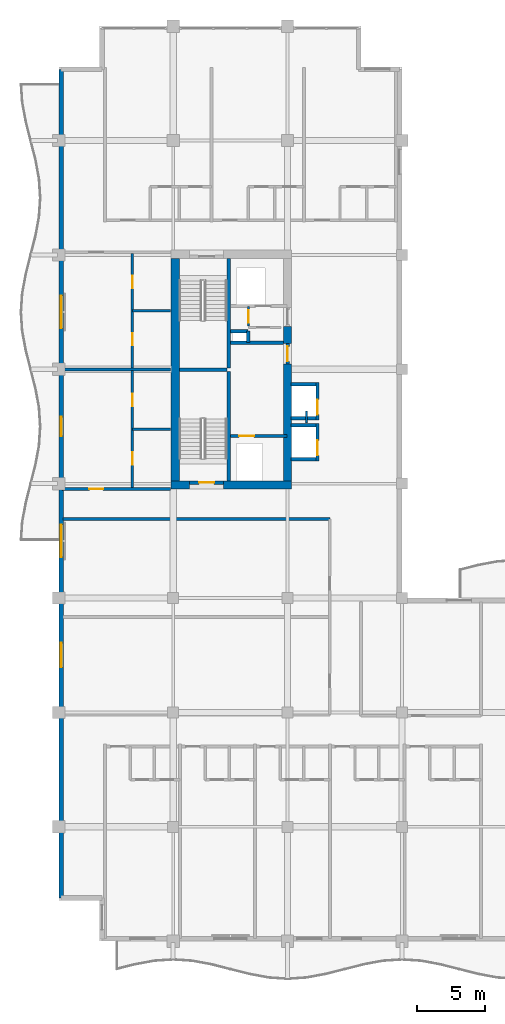
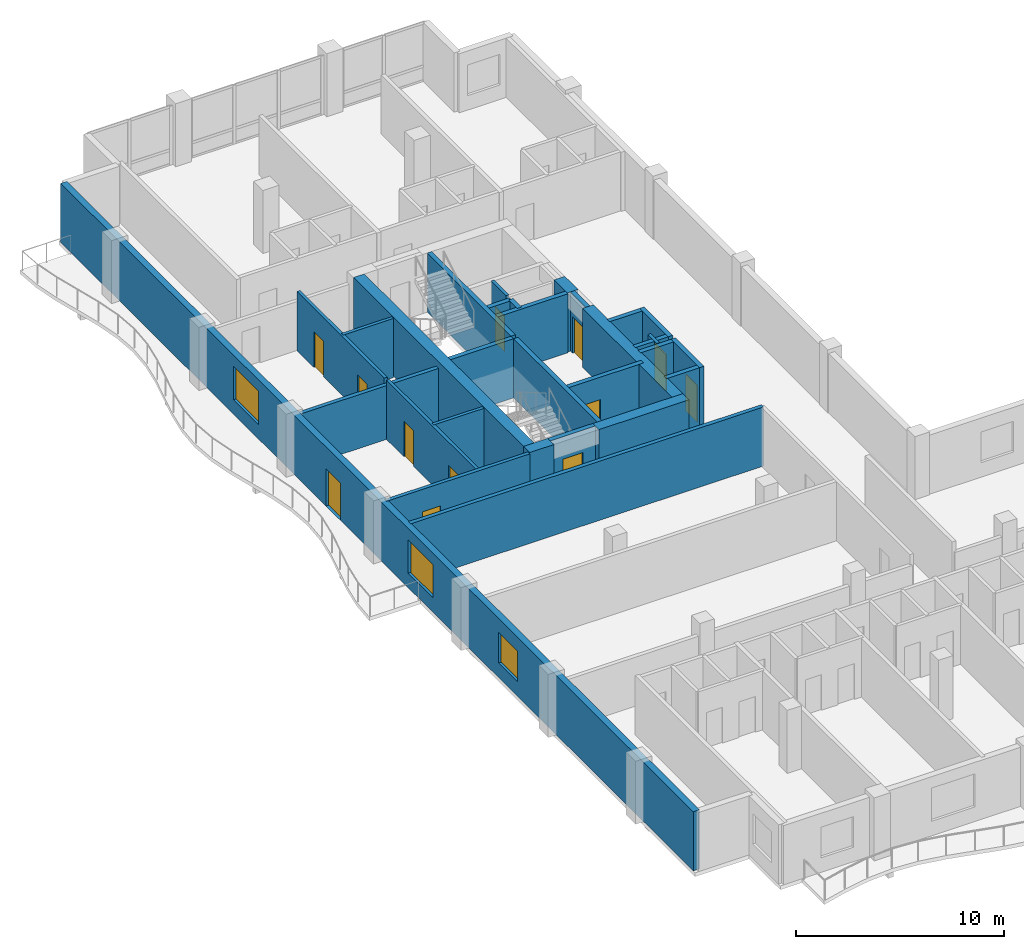
# One storey, part 9 of 15: 30 walls, 12 doors, 3 windows, 15 openings.
"""IFC4 building model written with IfcOpenShell, lengths in metres."""

from ifc_helpers import new_model, si_unit, direction, frame, frame_2d, origin, place, context, subcontext, project, spatial, rectangle, extrude, material, layer, layer_set, type_object, element, fill, save


model = new_model("IFC4")

# Units and contexts
model_context = context("Model", 3, precision=1e-05, world=origin(), true_north=direction((0.0, 1.0)))
body_context = subcontext(model_context, "Body", "Model", "MODEL_VIEW")
ifc_project = project(units=[si_unit("LENGTHUNIT", "METRE"), si_unit("AREAUNIT", "SQUARE_METRE"), si_unit("VOLUMEUNIT", "CUBIC_METRE"), si_unit("PLANEANGLEUNIT", "RADIAN"), si_unit("MASSUNIT", "GRAM", prefix="KILO")], contexts=[model_context])

# Site, building, storey
site_placement = place(None, origin())
site = spatial("IfcSite", under=ifc_project, at=site_placement, CompositionType="ELEMENT")
building_placement = place(site_placement, origin())
building = spatial("IfcBuilding", under=site, at=building_placement, Name="Koriwani Terraces Tower", CompositionType="ELEMENT")
storey_placement = place(building_placement, frame((0.0, 0.0, 282.300048828125)))
storey = spatial("IfcBuildingStorey", under=building, at=storey_placement, Name="L70", CompositionType="ELEMENT", Elevation=282.300048828125)

# Walls
ifc_material_1 = material(Name="Concrete C60/75", Category="concrete")
ifc_layer_1 = layer(ifc_material_1, 0.60009765625, Name="Concrete C60/75")
ifc_layer_set_1 = layer_set([ifc_layer_1], Name="Concrete C60/75")
wall_type_1 = type_object("IfcWallType", Name="WALL_CORE_RC_600", PredefinedType="SHEAR", material=ifc_layer_set_1)
wall_1_placement = place(storey_placement, frame((16.64990234375, 41.89990234375, 0.0), z_axis=(0.0, 0.0, 1.0), x_axis=(1.0, 0.0, 0.0)))
element("IfcWall", 1, at=wall_1_placement, inside=storey, type_object=wall_type_1, Name="L70 West Split Core Shear Wall S1", PredefinedType="SHEAR", context=body_context, shape_type="SweptSolid", body=[
    extrude(rectangle(XDim=1.35009765625, YDim=0.60009765625, at=frame_2d((0.675048828125, 0.0))), origin(), (0.0, 0.0, 1.0), 3.469970703125),
])
wall_2_placement = place(storey_placement, frame((20.5, 41.89990234375, 0.0), z_axis=(0.0, 0.0, 1.0), x_axis=(1.0, 0.0, 0.0)))
element("IfcWall", 2, at=wall_2_placement, inside=storey, type_object=wall_type_1, Name="L70 West Split Core Shear Wall S2", PredefinedType="SHEAR", context=body_context, shape_type="SweptSolid", body=[
    extrude(rectangle(XDim=5.0, YDim=0.60009765625, at=frame_2d((2.5, 0.0))), origin(), (0.0, 0.0, 1.0), 3.469970703125),
])
wall_3_placement = place(storey_placement, frame((16.949951171875, 42.199951171875, 0.0), z_axis=(0.0, 0.0, 1.0), x_axis=(0.0, 1.0, 0.0)))
element("IfcWall", 3, at=wall_3_placement, inside=storey, type_object=wall_type_1, Name="L70 West Split Core Shear Wall W1", PredefinedType="SHEAR", context=body_context, shape_type="SweptSolid", body=[
    extrude(rectangle(XDim=16.35009765625, YDim=0.60009765625, at=frame_2d((8.175048828125, 0.0))), origin(), (0.0, 0.0, 1.0), 3.469970703125),
])
wall_4_placement = place(storey_placement, frame((25.199951171875, 42.199951171875, 0.0), z_axis=(0.0, 0.0, 1.0), x_axis=(0.0, 1.0, 0.0)))
element("IfcWall", 4, at=wall_4_placement, inside=storey, type_object=wall_type_1, Name="L70 West Split Core Shear Wall E1", PredefinedType="SHEAR", context=body_context, shape_type="SweptSolid", body=[
    extrude(rectangle(XDim=8.60009765625, YDim=0.60009765625, at=frame_2d((4.300048828125, 0.0))), origin(), (0.0, 0.0, 1.0), 3.469970703125),
])
wall_5_placement = place(storey_placement, frame((25.199951171875, 52.280029296875, 0.0), z_axis=(0.0, 0.0, 1.0), x_axis=(0.0, 1.0, 0.0)))
element("IfcWall", 5, at=wall_5_placement, inside=storey, type_object=wall_type_1, Name="L70 West Split Core Shear Wall E2", PredefinedType="SHEAR", context=body_context, shape_type="SweptSolid", body=[
    extrude(rectangle(XDim=1.27001953125, YDim=0.60009765625, at=frame_2d((0.635009765625, 0.0))), origin(), (0.0, 0.0, 1.0), 3.469970703125),
])

# Wall, opening, door
ifc_material_2 = material(Name="Autoclaved Cellular Concrete Blockwork", Category="masonry")
ifc_layer_2 = layer(ifc_material_2, 0.199951171875, Name="Autoclaved Cellular Concrete Blockwork")
ifc_layer_set_2 = layer_set([ifc_layer_2], Name="Autoclaved Cellular Concrete Blockwork")
wall_type_2 = type_object("IfcWallType", Name="WALL_CORRIDOR_200", PredefinedType="PARTITIONING", material=ifc_layer_set_2)
wall_6_placement = place(storey_placement, frame((8.64990234375, 41.60009765625, 0.0), z_axis=(0.0, 0.0, 1.0), x_axis=(1.0, 0.0, 0.0)))
wall_6 = element("IfcWall", 6, at=wall_6_placement, inside=storey, type_object=wall_type_2, Name="L70 Interior Wall WRZ4-WS-L70", PredefinedType="PARTITIONING", context=body_context, shape_type="SweptSolid", body=[
    extrude(rectangle(XDim=7.9501953125, YDim=0.199951171875, at=frame_2d((3.97509765625, 0.0))), origin(), (0.0, 0.0, 1.0), 3.469970703125),
])
opening_1_placement = place(wall_6_placement, frame((2.0, 0.0, 0.0)))
opening_1 = element("IfcOpeningElement", 7, at=opening_1_placement, cuts=wall_6, Name="Opening D-05", PredefinedType="OPENING", context=body_context, shape_type="SweptSolid", body=[
    extrude(rectangle(XDim=1.0, YDim=2.14990234375, at=frame_2d((0.5, 1.074951171875))), frame((0.0, 0.10986328125, 0.0), z_axis=(0.0, -1.0, 0.0), x_axis=(1.0, 0.0, 0.0)), (0.0, 0.0, 1.0), 0.219970703125),
])
ifc_material_3 = material(Name="Architectural Oak Fire Door", Category="wood")
door_type_1 = type_object("IfcDoorType", Name="DOOR_SUITE_ENTRY_1000X2150", OperationType="NOTDEFINED", PredefinedType="DOOR", material=ifc_material_3)
door_1_placement = place(opening_1_placement, origin())
door_1 = element("IfcDoor", 8, at=door_1_placement, inside=storey, type_object=door_type_1, Name="Apartment 70RW1 Entrance Door", OperationType="SINGLE_SWING_LEFT", OverallHeight=2.14990234375, OverallWidth=1.0, PredefinedType="DOOR", context=body_context, shape_type="SweptSolid", body=[
    extrude(rectangle(XDim=1.0, YDim=2.14990234375, at=frame_2d((0.5, 1.074951171875))), frame((0.0, 0.02490234375, 0.0), z_axis=(0.0, -1.0, 0.0), x_axis=(1.0, 0.0, 0.0)), (0.0, 0.0, 1.0), 0.050048828125),
])
fill(opening_1, door_1)

# Walls
ifc_layer_3 = layer(ifc_material_2, 0.219970703125, Name="Autoclaved Cellular Concrete Blockwork")
ifc_layer_set_3 = layer_set([ifc_layer_3], Name="Autoclaved Cellular Concrete Blockwork")
wall_type_3 = type_object("IfcWallType", Name="WALL_DEMISING_220", PredefinedType="PARTITIONING", material=ifc_layer_set_3)
wall_7_placement = place(storey_placement, frame((8.64990234375, 50.39990234375, 0.0), z_axis=(0.0, 0.0, 1.0), x_axis=(1.0, 0.0, 0.0)))
element("IfcWall", 9, at=wall_7_placement, inside=storey, type_object=wall_type_3, Name="L70 Interior Wall WRZ4-WM-L70", PredefinedType="PARTITIONING", context=body_context, shape_type="SweptSolid", body=[
    extrude(rectangle(XDim=7.9501953125, YDim=0.219970703125, at=frame_2d((3.97509765625, 0.0))), origin(), (0.0, 0.0, 1.0), 3.159912109375),
])
wall_8_placement = place(storey_placement, frame((8.699951171875, 39.39990234375, 0.0), z_axis=(0.0, 0.0, 1.0), x_axis=(1.0, 0.0, 0.0)))
element("IfcWall", 10, at=wall_8_placement, inside=storey, type_object=wall_type_3, Name="L70 Interior Wall WZ4NEN-L70", PredefinedType="PARTITIONING", context=body_context, shape_type="SweptSolid", body=[
    extrude(rectangle(XDim=19.60009765625, YDim=0.219970703125, at=frame_2d((9.800048828125, 0.0))), origin(), (0.0, 0.0, 1.0), 3.469970703125),
])

# Wall, openings, door, windows
ifc_material_4 = material(Name="Concrete C50/60", Category="concrete")
ifc_layer_4 = layer(ifc_material_4, 0.35009765625, Name="Concrete C50/60")
ifc_layer_set_4 = layer_set([ifc_layer_4], Name="Concrete C50/60")
wall_type_4 = type_object("IfcWallType", Name="WALL_EXT_BRUTALIST_350", PredefinedType="STANDARD", material=ifc_layer_set_4)
wall_9_placement = place(storey_placement, frame((8.574951171875, 11.574951171875, 0.0), z_axis=(0.0, 0.0, 1.0), x_axis=(0.0, 1.0, 0.0)))
wall_9 = element("IfcWall", 11, at=wall_9_placement, inside=storey, type_object=wall_type_4, Name="L70 Fair-Faced Brutalist Exterior Wall (W)", PredefinedType="STANDARD", context=body_context, shape_type="SweptSolid", body=[
    extrude(rectangle(XDim=60.85009765625, YDim=0.35009765625, at=frame_2d((30.425048828125, 0.0))), origin(), (0.0, 0.0, 1.0), 3.469970703125),
])
opening_2_placement = place(wall_9_placement, frame((33.925048828125, 0.0, 0.0)))
opening_2 = element("IfcOpeningElement", 12, at=opening_2_placement, cuts=wall_9, Name="Opening D-09", PredefinedType="OPENING", context=body_context, shape_type="SweptSolid", body=[
    extrude(rectangle(XDim=1.39990234375, YDim=2.199951171875, at=frame_2d((0.699951171875, 1.10009765625))), frame((0.0, 0.18505859375, 0.0), z_axis=(0.0, -1.0, 0.0), x_axis=(1.0, 0.0, 0.0)), (0.0, 0.0, 1.0), 0.3701171875),
])
opening_3_placement = place(wall_9_placement, frame((16.925048828125, 0.0, 0.85009765625)))
opening_3 = element("IfcOpeningElement", 13, at=opening_3_placement, cuts=wall_9, Name="Opening W-04", PredefinedType="OPENING", context=body_context, shape_type="SweptSolid", body=[
    extrude(rectangle(XDim=1.800048828125, YDim=1.800048828125, at=frame_2d((0.89990234375, 0.89990234375))), frame((0.0, 0.18505859375, 0.0), z_axis=(0.0, -1.0, 0.0), x_axis=(1.0, 0.0, 0.0)), (0.0, 0.0, 1.0), 0.3701171875),
])
opening_4_placement = place(wall_9_placement, frame((25.02490234375, 0.0, 0.85009765625)))
opening_4 = element("IfcOpeningElement", 14, at=opening_4_placement, cuts=wall_9, Name="Opening W-03", PredefinedType="OPENING", context=body_context, shape_type="SweptSolid", body=[
    extrude(rectangle(XDim=2.39990234375, YDim=1.949951171875, at=frame_2d((1.199951171875, 0.97509765625))), frame((0.0, 0.18505859375, 0.0), z_axis=(0.0, -1.0, 0.0), x_axis=(1.0, 0.0, 0.0)), (0.0, 0.0, 1.0), 0.3701171875),
])
opening_5_placement = place(wall_9_placement, frame((41.824951171875, 0.0, 0.85009765625)))
opening_5 = element("IfcOpeningElement", 15, at=opening_5_placement, cuts=wall_9, Name="Opening W-03", PredefinedType="OPENING", context=body_context, shape_type="SweptSolid", body=[
    extrude(rectangle(XDim=2.39990234375, YDim=1.949951171875, at=frame_2d((1.199951171875, 0.97509765625))), frame((0.0, 0.18505859375, 0.0), z_axis=(0.0, -1.0, 0.0), x_axis=(1.0, 0.0, 0.0)), (0.0, 0.0, 1.0), 0.3701171875),
])
ifc_material_5 = material(Name="Anodised Bronze Aluminium", Category="aluminium")
door_type_2 = type_object("IfcDoorType", Name="DOOR_BALCONY_GLAZED_1400X2200", OperationType="NOTDEFINED", PredefinedType="DOOR", material=ifc_material_5)
door_2_placement = place(opening_2_placement, origin())
door_2 = element("IfcDoor", 16, at=door_2_placement, inside=storey, type_object=door_type_2, Name="L70 West Balcony Glazed Door", OperationType="SINGLE_SWING_LEFT", OverallHeight=2.199951171875, OverallWidth=1.39990234375, PredefinedType="DOOR", context=body_context, shape_type="SweptSolid", body=[
    extrude(rectangle(XDim=1.39990234375, YDim=2.199951171875, at=frame_2d((0.699951171875, 1.10009765625))), frame((0.0, 0.02490234375, 0.0), z_axis=(0.0, -1.0, 0.0), x_axis=(1.0, 0.0, 0.0)), (0.0, 0.0, 1.0), 0.050048828125),
])
fill(opening_2, door_2)
ifc_material_6 = material(Name="Tempered Laminated Low-E Glass", Category="glass")
window_type_1 = type_object("IfcWindowType", Name="WIN_RES_BED_1800X1800", PartitioningType="DOUBLE_PANEL_VERTICAL", PredefinedType="WINDOW", material=ifc_material_6)
window_1_placement = place(opening_3_placement, origin())
window_1 = element("IfcWindow", 17, at=window_1_placement, inside=storey, type_object=window_type_1, Name="L70 Exterior Window (W-6)", OverallHeight=1.800048828125, OverallWidth=1.800048828125, PartitioningType="SINGLE_PANEL", PredefinedType="WINDOW", context=body_context, shape_type="SweptSolid", body=[
    extrude(rectangle(XDim=1.800048828125, YDim=1.800048828125, at=frame_2d((0.89990234375, 0.89990234375))), frame((0.0, 0.030029296875, 0.0), z_axis=(0.0, -1.0, 0.0), x_axis=(1.0, 0.0, 0.0)), (0.0, 0.0, 1.0), 0.06005859375),
])
fill(opening_3, window_1)
window_type_2 = type_object("IfcWindowType", Name="WIN_RES_LIVING_2400X1950", PartitioningType="DOUBLE_PANEL_VERTICAL", PredefinedType="WINDOW", material=ifc_material_6)
window_2_placement = place(opening_4_placement, origin())
window_2 = element("IfcWindow", 18, at=window_2_placement, inside=storey, type_object=window_type_2, Name="L70 Exterior Window (W-9)", OverallHeight=1.949951171875, OverallWidth=2.39990234375, PartitioningType="SINGLE_PANEL", PredefinedType="WINDOW", context=body_context, shape_type="SweptSolid", body=[
    extrude(rectangle(XDim=2.39990234375, YDim=1.949951171875, at=frame_2d((1.199951171875, 0.97509765625))), frame((0.0, 0.030029296875, 0.0), z_axis=(0.0, -1.0, 0.0), x_axis=(1.0, 0.0, 0.0)), (0.0, 0.0, 1.0), 0.06005859375),
])
fill(opening_4, window_2)
window_3_placement = place(opening_5_placement, origin())
window_3 = element("IfcWindow", 19, at=window_3_placement, inside=storey, type_object=window_type_2, Name="L70 Exterior Window (W-15)", OverallHeight=1.949951171875, OverallWidth=2.39990234375, PartitioningType="SINGLE_PANEL", PredefinedType="WINDOW", context=body_context, shape_type="SweptSolid", body=[
    extrude(rectangle(XDim=2.39990234375, YDim=1.949951171875, at=frame_2d((1.199951171875, 0.97509765625))), frame((0.0, 0.030029296875, 0.0), z_axis=(0.0, -1.0, 0.0), x_axis=(1.0, 0.0, 0.0)), (0.0, 0.0, 1.0), 0.06005859375),
])
fill(opening_5, window_3)

# Wall, openings, doors
ifc_material_7 = material(Name="Fire-Rated Acoustic Gypsum Partition", Category="masonry")
ifc_layer_5 = layer(ifc_material_7, 0.179931640625, Name="Fire-Rated Acoustic Gypsum Partition")
ifc_layer_set_5 = layer_set([ifc_layer_5], Name="Fire-Rated Acoustic Gypsum Partition")
wall_type_5 = type_object("IfcWallType", Name="WALL_PLUMBING_180", PredefinedType="PLUMBINGWALL", material=ifc_layer_set_5)
wall_10_placement = place(storey_placement, frame((13.800048828125, 41.699951171875, 0.0), z_axis=(0.0, 0.0, 1.0), x_axis=(0.0, 1.0, 0.0)))
wall_10 = element("IfcWall", 20, at=wall_10_placement, inside=storey, type_object=wall_type_5, Name="L70 Interior Wall WRZ4-RW1-PB-L70", PredefinedType="PLUMBINGWALL", context=body_context, shape_type="SweptSolid", body=[
    extrude(rectangle(XDim=8.60009765625, YDim=0.179931640625, at=frame_2d((4.300048828125, 0.0))), origin(), (0.0, 0.0, 1.0), 3.469970703125),
])
opening_6_placement = place(wall_10_placement, frame((1.699951171875, 0.0, 0.0)))
opening_6 = element("IfcOpeningElement", 21, at=opening_6_placement, cuts=wall_10, Name="Opening D-07", PredefinedType="OPENING", context=body_context, shape_type="SweptSolid", body=[
    extrude(rectangle(XDim=0.89990234375, YDim=2.10009765625, at=frame_2d((0.449951171875, 1.050048828125))), frame((0.0, 0.10009765625, 0.0), z_axis=(0.0, -1.0, 0.0), x_axis=(1.0, 0.0, 0.0)), (0.0, 0.0, 1.0), 0.199951171875),
])
opening_7_placement = place(wall_10_placement, frame((5.989990234375, 0.0, 0.0)))
opening_7 = element("IfcOpeningElement", 22, at=opening_7_placement, cuts=wall_10, Name="Opening D-06", PredefinedType="OPENING", context=body_context, shape_type="SweptSolid", body=[
    extrude(rectangle(XDim=0.919921875, YDim=2.10009765625, at=frame_2d((0.4599609375, 1.050048828125))), frame((0.0, 0.10009765625, 0.0), z_axis=(0.0, -1.0, 0.0), x_axis=(1.0, 0.0, 0.0)), (0.0, 0.0, 1.0), 0.199951171875),
])
door_type_3 = type_object("IfcDoorType", Name="DOOR_BATH_INT_900X2100", OperationType="NOTDEFINED", PredefinedType="DOOR", material=ifc_material_3)
door_3_placement = place(opening_6_placement, origin())
door_3 = element("IfcDoor", 23, at=door_3_placement, inside=storey, type_object=door_type_3, Name="Apartment 70RW1 Bathroom Door", OperationType="SINGLE_SWING_LEFT", OverallHeight=2.10009765625, OverallWidth=0.89990234375, PredefinedType="DOOR", context=body_context, shape_type="SweptSolid", body=[
    extrude(rectangle(XDim=0.89990234375, YDim=2.10009765625, at=frame_2d((0.449951171875, 1.050048828125))), frame((0.0, 0.02490234375, 0.0), z_axis=(0.0, -1.0, 0.0), x_axis=(1.0, 0.0, 0.0)), (0.0, 0.0, 1.0), 0.050048828125),
])
fill(opening_6, door_3)
door_type_4 = type_object("IfcDoorType", Name="DOOR_ROOM_INT_920X2100", OperationType="NOTDEFINED", PredefinedType="DOOR", material=ifc_material_3)
door_4_placement = place(opening_7_placement, origin())
door_4 = element("IfcDoor", 24, at=door_4_placement, inside=storey, type_object=door_type_4, Name="Apartment 70RW1 Kitchen Door", OperationType="SINGLE_SWING_RIGHT", OverallHeight=2.10009765625, OverallWidth=0.919921875, PredefinedType="DOOR", context=body_context, shape_type="SweptSolid", body=[
    extrude(rectangle(XDim=0.919921875, YDim=2.10009765625, at=frame_2d((0.4599609375, 1.050048828125))), frame((0.0, 0.02490234375, 0.0), z_axis=(0.0, -1.0, 0.0), x_axis=(1.0, 0.0, 0.0)), (0.0, 0.0, 1.0), 0.050048828125),
])
fill(opening_7, door_4)

# Wall
wall_11_placement = place(storey_placement, frame((13.800048828125, 46.0, 0.0), z_axis=(0.0, 0.0, 1.0), x_axis=(1.0, 0.0, 0.0)))
element("IfcWall", 25, at=wall_11_placement, inside=storey, type_object=wall_type_5, Name="L70 Interior Wall WRZ4-RW1-P2-L70", PredefinedType="PLUMBINGWALL", context=body_context, shape_type="SweptSolid", body=[
    extrude(rectangle(XDim=2.800048828125, YDim=0.179931640625, at=frame_2d((1.39990234375, 0.0))), origin(), (0.0, 0.0, 1.0), 3.469970703125),
])

# Wall, openings, doors
wall_12_placement = place(storey_placement, frame((13.800048828125, 50.5, 0.0), z_axis=(0.0, 0.0, 1.0), x_axis=(0.0, 1.0, 0.0)))
wall_12 = element("IfcWall", 26, at=wall_12_placement, inside=storey, type_object=wall_type_5, Name="L70 Interior Wall WRZ4-RW2-PB-L70", PredefinedType="PLUMBINGWALL", context=body_context, shape_type="SweptSolid", body=[
    extrude(rectangle(XDim=8.39990234375, YDim=0.179931640625, at=frame_2d((4.199951171875, 0.0))), origin(), (0.0, 0.0, 1.0), 3.469970703125),
])
opening_8_placement = place(wall_12_placement, frame((1.64990234375, 0.0, 0.0)))
opening_8 = element("IfcOpeningElement", 27, at=opening_8_placement, cuts=wall_12, Name="Opening D-07", PredefinedType="OPENING", context=body_context, shape_type="SweptSolid", body=[
    extrude(rectangle(XDim=0.89990234375, YDim=2.10009765625, at=frame_2d((0.449951171875, 1.050048828125))), frame((0.0, 0.10009765625, 0.0), z_axis=(0.0, -1.0, 0.0), x_axis=(1.0, 0.0, 0.0)), (0.0, 0.0, 1.0), 0.199951171875),
])
opening_9_placement = place(wall_12_placement, frame((5.840087890625, 0.0, 0.0)))
opening_9 = element("IfcOpeningElement", 28, at=opening_9_placement, cuts=wall_12, Name="Opening D-06", PredefinedType="OPENING", context=body_context, shape_type="SweptSolid", body=[
    extrude(rectangle(XDim=0.919921875, YDim=2.10009765625, at=frame_2d((0.4599609375, 1.050048828125))), frame((0.0, 0.10009765625, 0.0), z_axis=(0.0, -1.0, 0.0), x_axis=(1.0, 0.0, 0.0)), (0.0, 0.0, 1.0), 0.199951171875),
])
door_5_placement = place(opening_8_placement, origin())
door_5 = element("IfcDoor", 29, at=door_5_placement, inside=storey, type_object=door_type_3, Name="Apartment 70RW2 Bathroom Door", OperationType="SINGLE_SWING_LEFT", OverallHeight=2.10009765625, OverallWidth=0.89990234375, PredefinedType="DOOR", context=body_context, shape_type="SweptSolid", body=[
    extrude(rectangle(XDim=0.89990234375, YDim=2.10009765625, at=frame_2d((0.449951171875, 1.050048828125))), frame((0.0, 0.02490234375, 0.0), z_axis=(0.0, -1.0, 0.0), x_axis=(1.0, 0.0, 0.0)), (0.0, 0.0, 1.0), 0.050048828125),
])
fill(opening_8, door_5)
door_6_placement = place(opening_9_placement, origin())
door_6 = element("IfcDoor", 30, at=door_6_placement, inside=storey, type_object=door_type_4, Name="Apartment 70RW2 Kitchen Door", OperationType="SINGLE_SWING_RIGHT", OverallHeight=2.10009765625, OverallWidth=0.919921875, PredefinedType="DOOR", context=body_context, shape_type="SweptSolid", body=[
    extrude(rectangle(XDim=0.919921875, YDim=2.10009765625, at=frame_2d((0.4599609375, 1.050048828125))), frame((0.0, 0.02490234375, 0.0), z_axis=(0.0, -1.0, 0.0), x_axis=(1.0, 0.0, 0.0)), (0.0, 0.0, 1.0), 0.050048828125),
])
fill(opening_9, door_6)

# Walls
wall_13_placement = place(storey_placement, frame((13.800048828125, 54.699951171875, 0.0), z_axis=(0.0, 0.0, 1.0), x_axis=(1.0, 0.0, 0.0)))
element("IfcWall", 31, at=wall_13_placement, inside=storey, type_object=wall_type_5, Name="L70 Interior Wall WRZ4-RW2-P2-L70", PredefinedType="PLUMBINGWALL", context=body_context, shape_type="SweptSolid", body=[
    extrude(rectangle(XDim=2.800048828125, YDim=0.179931640625, at=frame_2d((1.39990234375, 0.0))), origin(), (0.0, 0.0, 1.0), 3.469970703125),
])
ifc_material_8 = material(Name="Concrete C40/50", Category="concrete")
ifc_layer_6 = layer(ifc_material_8, 0.25, Name="Concrete C40/50")
ifc_layer_set_6 = layer_set([ifc_layer_6], Name="Concrete C40/50")
wall_type_6 = type_object("IfcWallType", Name="WALL_SHAFT_RATED_250", PredefinedType="SOLIDWALL", material=ifc_layer_set_6)
for number, where, z_axis, x_axis, name in (
    (32, (20.875, 42.199951171875, 0.0), (0.0, 0.0, 1.0), (0.0, 1.0, 0.0), "L70 West Split Core Web Wall MID1"),
    (33, (20.875, 50.5, 0.0), (0.0, 0.0, 1.0), (0.0, 1.0, 0.0), "L70 West Split Core Web Wall MID2"),
):
    element("IfcWall", number, at=place(storey_placement, frame(where, z_axis=z_axis, x_axis=x_axis)), inside=storey, type_object=wall_type_6, Name=name, PredefinedType="SOLIDWALL", context=body_context, shape_type="SweptSolid", body=[
        extrude(rectangle(XDim=8.050048828125, YDim=0.25, at=frame_2d((4.02490234375, 0.0))), origin(), (0.0, 0.0, 1.0), 3.469970703125),
    ])
wall_14_placement = place(storey_placement, frame((17.25, 50.375, 0.0), z_axis=(0.0, 0.0, 1.0), x_axis=(1.0, 0.0, 0.0)))
element("IfcWall", 34, at=wall_14_placement, inside=storey, type_object=wall_type_6, Name="L70 West Split Core Stair Dividing Wall", PredefinedType="SOLIDWALL", context=body_context, shape_type="SweptSolid", body=[
    extrude(rectangle(XDim=3.5, YDim=0.25, at=frame_2d((1.75, 0.0))), origin(), (0.0, 0.0, 1.0), 3.469970703125),
])

# Wall, opening, door
wall_15_placement = place(storey_placement, frame((18.0, 42.074951171875, 0.0), z_axis=(0.0, 0.0, 1.0), x_axis=(1.0, 0.0, 0.0)))
wall_15 = element("IfcWall", 35, at=wall_15_placement, inside=storey, type_object=wall_type_6, Name="L70 Interior Wall WIN-CW-L70-STS", PredefinedType="SOLIDWALL", context=body_context, shape_type="SweptSolid", body=[
    extrude(rectangle(XDim=2.5, YDim=0.25, at=frame_2d((1.25, 0.0))), origin(), (0.0, 0.0, 1.0), 3.469970703125),
])
opening_10_placement = place(wall_15_placement, frame((0.699951171875, 0.0, 0.0)))
opening_10 = element("IfcOpeningElement", 36, at=opening_10_placement, cuts=wall_15, Name="Opening D-03", PredefinedType="OPENING", context=body_context, shape_type="SweptSolid", body=[
    extrude(rectangle(XDim=1.10009765625, YDim=2.14990234375, at=frame_2d((0.550048828125, 1.074951171875))), frame((0.0, 0.135009765625, 0.0), z_axis=(0.0, -1.0, 0.0), x_axis=(1.0, 0.0, 0.0)), (0.0, 0.0, 1.0), 0.27001953125),
])
ifc_material_9 = material(Name="Steel ASTM A572 Grade 50", Category="steel")
door_type_5 = type_object("IfcDoorType", Name="DOOR_STAIR_FIRE_1100X2150", OperationType="NOTDEFINED", PredefinedType="DOOR", material=ifc_material_9)
door_7_placement = place(opening_10_placement, origin())
door_7 = element("IfcDoor", 37, at=door_7_placement, inside=storey, type_object=door_type_5, Name="L70 Exit Stair ST-W1 Door", OperationType="SINGLE_SWING_RIGHT", OverallHeight=2.14990234375, OverallWidth=1.10009765625, PredefinedType="DOOR", context=body_context, shape_type="SweptSolid", body=[
    extrude(rectangle(XDim=1.10009765625, YDim=2.14990234375, at=frame_2d((0.550048828125, 1.074951171875))), frame((0.0, 0.02490234375, 0.0), z_axis=(0.0, -1.0, 0.0), x_axis=(1.0, 0.0, 0.0)), (0.0, 0.0, 1.0), 0.050048828125),
])
fill(opening_10, door_7)

wall_16_placement = place(storey_placement, frame((21.0, 45.5, 0.0), z_axis=(0.0, 0.0, 1.0), x_axis=(1.0, 0.0, 0.0)))
wall_16 = element("IfcWall", 38, at=wall_16_placement, inside=storey, type_object=wall_type_6, Name="L70 Interior Wall WIN-CW-L70-FE", PredefinedType="SOLIDWALL", context=body_context, shape_type="SweptSolid", body=[
    extrude(rectangle(XDim=4.14990234375, YDim=0.25, at=frame_2d((2.074951171875, 0.0))), origin(), (0.0, 0.0, 1.0), 3.469970703125),
])
opening_11_placement = place(wall_16_placement, frame((0.64990234375, 0.0, 0.0)))
opening_11 = element("IfcOpeningElement", 39, at=opening_11_placement, cuts=wall_16, Name="Opening LD-01", PredefinedType="OPENING", context=body_context, shape_type="SweptSolid", body=[
    extrude(rectangle(XDim=1.10009765625, YDim=2.14990234375, at=frame_2d((0.550048828125, 1.074951171875))), frame((0.0, 0.135009765625, 0.0), z_axis=(0.0, -1.0, 0.0), x_axis=(1.0, 0.0, 0.0)), (0.0, 0.0, 1.0), 0.27001953125),
])
door_type_6 = type_object("IfcDoorType", Name="DOOR_LIFT_LANDING_1100X2200", OperationType="NOTDEFINED", PredefinedType="DOOR", material=ifc_material_9)
door_8_placement = place(opening_11_placement, origin())
door_8 = element("IfcDoor", 40, at=door_8_placement, inside=storey, type_object=door_type_6, Name="L70 Firefighting Lift FE-01 Landing Door", OperationType="SLIDING_TO_LEFT", OverallHeight=2.14990234375, OverallWidth=1.10009765625, PredefinedType="DOOR", context=body_context, shape_type="SweptSolid", body=[
    extrude(rectangle(XDim=1.10009765625, YDim=2.14990234375, at=frame_2d((0.550048828125, 1.074951171875))), frame((0.0, 0.02490234375, 0.0), z_axis=(0.0, -1.0, 0.0), x_axis=(1.0, 0.0, 0.0)), (0.0, 0.0, 1.0), 0.050048828125),
])
fill(opening_11, door_8)

wall_17_placement = place(storey_placement, frame((25.199951171875, 50.800048828125, 0.0), z_axis=(0.0, 0.0, 1.0), x_axis=(0.0, 1.0, 0.0)))
wall_17 = element("IfcWall", 41, at=wall_17_placement, inside=storey, type_object=wall_type_6, Name="L70 Interior Wall WIN-CW-L70-EP", PredefinedType="SOLIDWALL", context=body_context, shape_type="SweptSolid", body=[
    extrude(rectangle(XDim=1.47998046875, YDim=0.25, at=frame_2d((0.739990234375, 0.0))), origin(), (0.0, 0.0, 1.0), 3.469970703125),
])
opening_12_placement = place(wall_17_placement, frame((0.179931640625, 0.0, 0.0)))
opening_12 = element("IfcOpeningElement", 42, at=opening_12_placement, cuts=wall_17, Name="Opening D-03", PredefinedType="OPENING", context=body_context, shape_type="SweptSolid", body=[
    extrude(rectangle(XDim=1.10009765625, YDim=2.14990234375, at=frame_2d((0.550048828125, 1.074951171875))), frame((0.0, 0.135009765625, 0.0), z_axis=(0.0, -1.0, 0.0), x_axis=(1.0, 0.0, 0.0)), (0.0, 0.0, 1.0), 0.27001953125),
])
door_9_placement = place(opening_12_placement, origin())
door_9 = element("IfcDoor", 43, at=door_9_placement, inside=storey, type_object=door_type_5, Name="L70 West Firefighting Lobby Door", OperationType="SINGLE_SWING_RIGHT", OverallHeight=2.14990234375, OverallWidth=1.10009765625, PredefinedType="DOOR", context=body_context, shape_type="SweptSolid", body=[
    extrude(rectangle(XDim=1.10009765625, YDim=2.14990234375, at=frame_2d((0.550048828125, 1.074951171875))), frame((0.0, 0.02490234375, 0.0), z_axis=(0.0, -1.0, 0.0), x_axis=(1.0, 0.0, 0.0)), (0.0, 0.0, 1.0), 0.050048828125),
])
fill(opening_12, door_9)

# Walls
wall_18_placement = place(storey_placement, frame((21.0, 52.340087890625, 0.0), z_axis=(0.0, 0.0, 1.0), x_axis=(1.0, 0.0, 0.0)))
element("IfcWall", 44, at=wall_18_placement, inside=storey, type_object=wall_type_6, Name="L70 Interior Wall WIN-CW-L70-FFN", PredefinedType="SOLIDWALL", context=body_context, shape_type="SweptSolid", body=[
    extrude(rectangle(XDim=3.89990234375, YDim=0.25, at=frame_2d((1.949951171875, 0.0))), origin(), (0.0, 0.0, 1.0), 3.469970703125),
])
wall_19_placement = place(storey_placement, frame((21.0, 53.199951171875, 0.0), z_axis=(0.0, 0.0, 1.0), x_axis=(1.0, 0.0, 0.0)))
element("IfcWall", 45, at=wall_19_placement, inside=storey, type_object=wall_type_6, Name="L70 Interior Wall WIN-CW-L70-RS1", PredefinedType="SOLIDWALL", context=body_context, shape_type="SweptSolid", body=[
    extrude(rectangle(XDim=1.300048828125, YDim=0.25, at=frame_2d((0.64990234375, 0.0))), origin(), (0.0, 0.0, 1.0), 3.469970703125),
])
wall_20_placement = place(storey_placement, frame((22.300048828125, 52.360107421875, 0.0), z_axis=(0.0, 0.0, 1.0), x_axis=(0.0, 1.0, 0.0)))
element("IfcWall", 46, at=wall_20_placement, inside=storey, type_object=wall_type_6, Name="L70 Interior Wall WIN-CW-L70-RS2", PredefinedType="SOLIDWALL", context=body_context, shape_type="SweptSolid", body=[
    extrude(rectangle(XDim=0.83984375, YDim=0.25, at=frame_2d((0.419921875, 0.0))), origin(), (0.0, 0.0, 1.0), 3.469970703125),
])

# Wall, opening, door
wall_21_placement = place(storey_placement, frame((27.39990234375, 43.675048828125, 0.0), z_axis=(0.0, 0.0, 1.0), x_axis=(0.0, 1.0, 0.0)))
wall_21 = element("IfcWall", 47, at=wall_21_placement, inside=storey, type_object=wall_type_6, Name="L70 Interior Wall WIN-LF-PE-H1-L70-F", PredefinedType="SOLIDWALL", context=body_context, shape_type="SweptSolid", body=[
    extrude(rectangle(XDim=2.75, YDim=0.25, at=frame_2d((1.375, 0.0))), origin(), (0.0, 0.0, 1.0), 3.469970703125),
])
opening_13_placement = place(wall_21_placement, frame((0.39990234375, 0.0, 0.0)))
opening_13 = element("IfcOpeningElement", 48, at=opening_13_placement, cuts=wall_21, Name="Opening LD-01", PredefinedType="OPENING", context=body_context, shape_type="SweptSolid", body=[
    extrude(rectangle(XDim=1.10009765625, YDim=2.14990234375, at=frame_2d((0.550048828125, 1.074951171875))), frame((0.0, 0.135009765625, 0.0), z_axis=(0.0, -1.0, 0.0), x_axis=(1.0, 0.0, 0.0)), (0.0, 0.0, 1.0), 0.27001953125),
])
door_10_placement = place(opening_13_placement, origin())
door_10 = element("IfcDoor", 49, at=door_10_placement, inside=storey, type_object=door_type_6, Name="L70 Passenger Lift PE-H1 Landing Door", OperationType="SLIDING_TO_LEFT", OverallHeight=2.14990234375, OverallWidth=1.10009765625, PredefinedType="DOOR", context=body_context, shape_type="SweptSolid", body=[
    extrude(rectangle(XDim=1.10009765625, YDim=2.14990234375, at=frame_2d((0.550048828125, 1.074951171875))), frame((0.0, 0.02490234375, 0.0), z_axis=(0.0, -1.0, 0.0), x_axis=(1.0, 0.0, 0.0)), (0.0, 0.0, 1.0), 0.050048828125),
])
fill(opening_13, door_10)

# Walls
for number, where, z_axis, x_axis, name in (
    (50, (25.449951171875, 43.800048828125, 0.0), (0.0, 0.0, 1.0), (1.0, 0.0, 0.0), "L70 Interior Wall WIN-LF-PE-H1-L70-S"),
    (51, (25.449951171875, 46.300048828125, 0.0), (0.0, 0.0, 1.0), (1.0, 0.0, 0.0), "L70 Interior Wall WIN-LF-PE-H1-L70-N"),
):
    element("IfcWall", number, at=place(storey_placement, frame(where, z_axis=z_axis, x_axis=x_axis)), inside=storey, type_object=wall_type_6, Name=name, PredefinedType="SOLIDWALL", context=body_context, shape_type="SweptSolid", body=[
        extrude(rectangle(XDim=1.824951171875, YDim=0.25, at=frame_2d((0.91259765625, 0.0))), origin(), (0.0, 0.0, 1.0), 3.469970703125),
    ])

# Wall, opening, door
wall_22_placement = place(storey_placement, frame((27.39990234375, 46.675048828125, 0.0), z_axis=(0.0, 0.0, 1.0), x_axis=(0.0, 1.0, 0.0)))
wall_22 = element("IfcWall", 52, at=wall_22_placement, inside=storey, type_object=wall_type_6, Name="L70 Interior Wall WIN-LF-PE-H2-L70-F", PredefinedType="SOLIDWALL", context=body_context, shape_type="SweptSolid", body=[
    extrude(rectangle(XDim=2.75, YDim=0.25, at=frame_2d((1.375, 0.0))), origin(), (0.0, 0.0, 1.0), 3.469970703125),
])
opening_14_placement = place(wall_22_placement, frame((0.39990234375, 0.0, 0.0)))
opening_14 = element("IfcOpeningElement", 53, at=opening_14_placement, cuts=wall_22, Name="Opening LD-01", PredefinedType="OPENING", context=body_context, shape_type="SweptSolid", body=[
    extrude(rectangle(XDim=1.10009765625, YDim=2.14990234375, at=frame_2d((0.550048828125, 1.074951171875))), frame((0.0, 0.135009765625, 0.0), z_axis=(0.0, -1.0, 0.0), x_axis=(1.0, 0.0, 0.0)), (0.0, 0.0, 1.0), 0.27001953125),
])
door_11_placement = place(opening_14_placement, origin())
door_11 = element("IfcDoor", 54, at=door_11_placement, inside=storey, type_object=door_type_6, Name="L70 Passenger Lift PE-H2 Landing Door", OperationType="SLIDING_TO_LEFT", OverallHeight=2.14990234375, OverallWidth=1.10009765625, PredefinedType="DOOR", context=body_context, shape_type="SweptSolid", body=[
    extrude(rectangle(XDim=1.10009765625, YDim=2.14990234375, at=frame_2d((0.550048828125, 1.074951171875))), frame((0.0, 0.02490234375, 0.0), z_axis=(0.0, -1.0, 0.0), x_axis=(1.0, 0.0, 0.0)), (0.0, 0.0, 1.0), 0.050048828125),
])
fill(opening_14, door_11)

# Walls
for number, where, z_axis, x_axis, name in (
    (55, (25.449951171875, 46.800048828125, 0.0), (0.0, 0.0, 1.0), (1.0, 0.0, 0.0), "L70 Interior Wall WIN-LF-PE-H2-L70-S"),
    (56, (25.449951171875, 49.300048828125, 0.0), (0.0, 0.0, 1.0), (1.0, 0.0, 0.0), "L70 Interior Wall WIN-LF-PE-H2-L70-N"),
):
    element("IfcWall", number, at=place(storey_placement, frame(where, z_axis=z_axis, x_axis=x_axis)), inside=storey, type_object=wall_type_6, Name=name, PredefinedType="SOLIDWALL", context=body_context, shape_type="SweptSolid", body=[
        extrude(rectangle(XDim=1.824951171875, YDim=0.25, at=frame_2d((0.91259765625, 0.0))), origin(), (0.0, 0.0, 1.0), 3.469970703125),
    ])

# Wall, opening, door
ifc_layer_7 = layer(ifc_material_7, 0.159912109375, Name="Fire-Rated Acoustic Gypsum Partition")
ifc_layer_set_7 = layer_set([ifc_layer_7], Name="Fire-Rated Acoustic Gypsum Partition")
wall_type_7 = type_object("IfcWallType", Name="WALL_SUITE_160", PredefinedType="PARTITIONING", material=ifc_layer_set_7)
wall_23_placement = place(storey_placement, frame((22.320068359375, 53.56005859375, 0.0), z_axis=(0.0, 0.0, 1.0), x_axis=(0.0, 1.0, 0.0)))
wall_23 = element("IfcWall", 57, at=wall_23_placement, inside=storey, type_object=wall_type_7, Name="L70 Interior Wall WIN-CW-L70-SV1A", PredefinedType="PARTITIONING", context=body_context, shape_type="SweptSolid", body=[
    extrude(rectangle(XDim=1.43994140625, YDim=0.159912109375, at=frame_2d((0.719970703125, 0.0))), origin(), (0.0, 0.0, 1.0), 3.469970703125),
])
opening_15_placement = place(wall_23_placement, frame((0.260009765625, 0.0, 0.0)))
opening_15 = element("IfcOpeningElement", 58, at=opening_15_placement, cuts=wall_23, Name="Opening D-07", PredefinedType="OPENING", context=body_context, shape_type="SweptSolid", body=[
    extrude(rectangle(XDim=0.89990234375, YDim=2.10009765625, at=frame_2d((0.449951171875, 1.050048828125))), frame((0.0, 0.08984375, 0.0), z_axis=(0.0, -1.0, 0.0), x_axis=(1.0, 0.0, 0.0)), (0.0, 0.0, 1.0), 0.179931640625),
])
door_12_placement = place(opening_15_placement, origin())
door_12 = element("IfcDoor", 59, at=door_12_placement, inside=storey, type_object=door_type_3, Name="L70 West Telecom Room Door", OperationType="SINGLE_SWING_RIGHT", OverallHeight=2.10009765625, OverallWidth=0.89990234375, PredefinedType="DOOR", context=body_context, shape_type="SweptSolid", body=[
    extrude(rectangle(XDim=0.89990234375, YDim=2.10009765625, at=frame_2d((0.449951171875, 1.050048828125))), frame((0.0, 0.02490234375, 0.0), z_axis=(0.0, -1.0, 0.0), x_axis=(1.0, 0.0, 0.0)), (0.0, 0.0, 1.0), 0.050048828125),
])
fill(opening_15, door_12)

# Wall
wall_24_placement = place(storey_placement, frame((26.60009765625, 46.4599609375, 0.0), z_axis=(0.0, 0.0, 1.0), x_axis=(0.0, 1.0, 0.0)))
element("IfcWall", 60, at=wall_24_placement, inside=storey, type_object=wall_type_7, Name="L70 Interior Wall WIN-LF-PEH12-MID-L70", PredefinedType="PARTITIONING", context=body_context, shape_type="SweptSolid", body=[
    extrude(rectangle(XDim=0.880126953125, YDim=0.159912109375, at=frame_2d((0.43994140625, 0.0))), origin(), (0.0, 0.0, 1.0), 3.469970703125),
])

save(model, "model.ifc")
